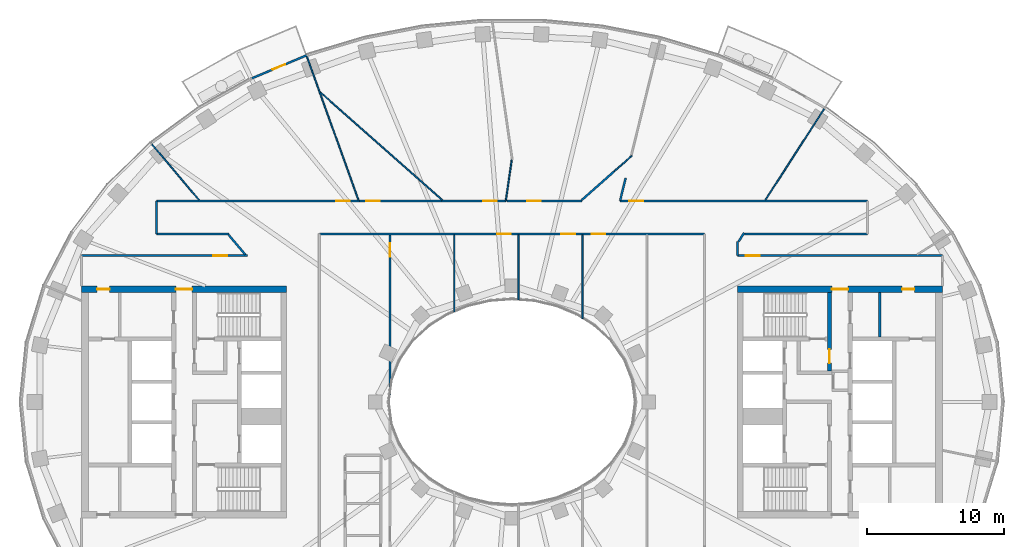
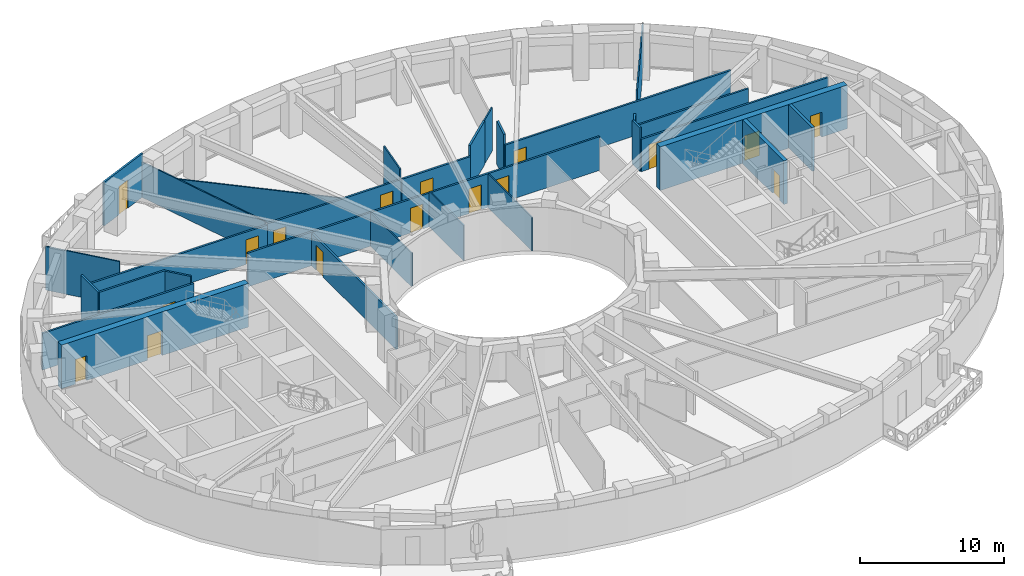
# One storey, part 6 of 15: 30 walls, 17 doors, 17 openings.
"""IFC4 building model written with IfcOpenShell, lengths in metres."""

from ifc_helpers import new_model, si_unit, direction, frame, frame_2d, origin, place, context, subcontext, project, spatial, rectangle, extrude, material, layer, layer_set, type_object, element, fill, save


model = new_model("IFC4")

# Units and contexts
model_context = context("Model", 3, precision=1e-05, world=origin(), true_north=direction((0.0, 1.0)))
body_context = subcontext(model_context, "Body", "Model", "MODEL_VIEW")
ifc_project = project(units=[si_unit("LENGTHUNIT", "METRE"), si_unit("AREAUNIT", "SQUARE_METRE"), si_unit("VOLUMEUNIT", "CUBIC_METRE"), si_unit("PLANEANGLEUNIT", "RADIAN"), si_unit("MASSUNIT", "GRAM", prefix="KILO")], contexts=[model_context])

# Site, building, storey
site_placement = place(None, origin())
site = spatial("IfcSite", under=ifc_project, at=site_placement, CompositionType="ELEMENT")
building_placement = place(site_placement, origin())
building = spatial("IfcBuilding", under=site, at=building_placement, Name="Noorbagh Ring Tower", CompositionType="ELEMENT")
storey_placement = place(building_placement, frame((0.0, 0.0, 253.5)))
storey = spatial("IfcBuildingStorey", under=building, at=storey_placement, Name="L53", CompositionType="ELEMENT", Elevation=253.5)

# Wall
ifc_material_1 = material(Name="Gypsum board on steel studs", Category="steel")
ifc_layer_1 = layer(ifc_material_1, 0.199951171875)
ifc_layer_set_1 = layer_set([ifc_layer_1], Name="Gypsum board on steel studs")
wall_type_1 = type_object("IfcWallType", Name="CORE-PARTITION-200", PredefinedType="PARTITIONING", material=ifc_layer_set_1)
wall_1_placement = place(storey_placement, frame((26.89990234375, 4.75, 0.0), z_axis=(0.0, 0.0, 1.0), x_axis=(0.0, 1.0, 0.0)))
element("IfcWall", 1, at=wall_1_placement, inside=storey, type_object=wall_type_1, Name="Core partition E", PredefinedType="PARTITIONING", context=body_context, shape_type="SweptSolid", body=[
    extrude(rectangle(XDim=3.25, YDim=0.199951171875, at=frame_2d((1.625, 0.0))), origin(), (0.0, 0.0, 1.0), 3.699951171875),
])

# Wall, opening, door
ifc_material_2 = material(Name="Concrete C60/75", Category="concrete")
ifc_layer_2 = layer(ifc_material_2, 0.300048828125)
ifc_layer_set_2 = layer_set([ifc_layer_2], Name="Concrete C60/75")
wall_type_2 = type_object("IfcWallType", Name="CORE-WALL-300-C60-75-EI240", PredefinedType="SHEAR", material=ifc_layer_set_2)
wall_2_placement = place(storey_placement, frame((23.22998046875, 2.25, 0.0), z_axis=(0.0, 0.0, 1.0), x_axis=(0.0, 1.0, 0.0)))
wall_2 = element("IfcWall", 2, at=wall_2_placement, inside=storey, type_object=wall_type_2, Name="Core wall E", PredefinedType="SHEAR", context=body_context, shape_type="SweptSolid", body=[
    extrude(rectangle(XDim=5.75, YDim=0.300048828125, at=frame_2d((2.875, 0.0))), origin(), (0.0, 0.0, 1.0), 3.699951171875),
])
opening_1_placement = place(wall_2_placement, frame((0.60009765625, 0.0, 0.0)))
opening_1 = element("IfcOpeningElement", 3, at=opening_1_placement, cuts=wall_2, Name="Opening L53-CE10", PredefinedType="OPENING", context=body_context, shape_type="SweptSolid", body=[
    extrude(rectangle(XDim=1.0, YDim=2.10009765625, at=frame_2d((0.5, 1.050048828125))), frame((0.0, 0.16015625, 0.0), z_axis=(0.0, -1.0, 0.0), x_axis=(1.0, 0.0, 0.0)), (0.0, 0.0, 1.0), 0.320068359375),
])
ifc_material_3 = material(Name="Steel door leaf", Category="steel")
door_type_1 = type_object("IfcDoorType", Name="CORE-DOOR-DVEST", OperationType="SINGLE_SWING_LEFT", PredefinedType="DOOR", material=ifc_material_3)
door_1_placement = place(opening_1_placement, origin())
door_1 = element("IfcDoor", 4, at=door_1_placement, inside=storey, type_object=door_type_1, Name="Stair vestibule door L53-CE10", OperationType="SINGLE_SWING_RIGHT", OverallHeight=2.10009765625, OverallWidth=1.0, PredefinedType="DOOR", context=body_context, shape_type="SweptSolid", body=[
    extrude(rectangle(XDim=1.0, YDim=2.10009765625, at=frame_2d((0.5, 1.050048828125))), frame((0.0, 0.02490234375, 0.0), z_axis=(0.0, -1.0, 0.0), x_axis=(1.0, 0.0, 0.0)), (0.0, 0.0, 1.0), 0.050048828125),
])
fill(opening_1, door_1)

# Wall, openings, doors
ifc_material_4 = material(Name="Concrete C60/75", Category="concrete")
ifc_layer_3 = layer(ifc_material_4, 0.5)
ifc_layer_set_3 = layer_set([ifc_layer_3], Name="Concrete C60/75")
wall_type_3 = type_object("IfcWallType", Name="CORE-WALL-500-C60-75-EI240", PredefinedType="SHEAR", material=ifc_layer_set_3)
wall_3_placement = place(storey_placement, frame((-16.5, 8.25, 0.0), z_axis=(0.0, 0.0, 1.0), x_axis=(-1.0, 0.0, 0.0)))
wall_3 = element("IfcWall", 5, at=wall_3_placement, inside=storey, type_object=wall_type_3, Name="Core wall W", PredefinedType="SHEAR", context=body_context, shape_type="SweptSolid", body=[
    extrude(rectangle(XDim=15.0, YDim=0.5, at=frame_2d((7.5, 0.0))), origin(), (0.0, 0.0, 1.0), 3.699951171875),
])
opening_2_placement = place(wall_3_placement, frame((6.89990234375, 0.0, 0.0)))
opening_2 = element("IfcOpeningElement", 6, at=opening_2_placement, cuts=wall_3, Name="Opening L53-CW10", PredefinedType="OPENING", context=body_context, shape_type="SweptSolid", body=[
    extrude(rectangle(XDim=1.199951171875, YDim=2.10009765625, at=frame_2d((0.60009765625, 1.050048828125))), frame((0.0, 0.260009765625, 0.0), z_axis=(0.0, -1.0, 0.0), x_axis=(1.0, 0.0, 0.0)), (0.0, 0.0, 1.0), 0.52001953125),
])
opening_3_placement = place(wall_3_placement, frame((12.949951171875, 0.0, 0.0)))
opening_3 = element("IfcOpeningElement", 7, at=opening_3_placement, cuts=wall_3, Name="Opening L53-CW13", PredefinedType="OPENING", context=body_context, shape_type="SweptSolid", body=[
    extrude(rectangle(XDim=0.89990234375, YDim=2.10009765625, at=frame_2d((0.449951171875, 1.050048828125))), frame((0.0, 0.260009765625, 0.0), z_axis=(0.0, -1.0, 0.0), x_axis=(1.0, 0.0, 0.0)), (0.0, 0.0, 1.0), 0.52001953125),
])
ifc_material_5 = material(Name="Steel door leaf", Category="steel")
door_type_2 = type_object("IfcDoorType", Name="CORE-DOOR-DROOM", OperationType="SINGLE_SWING_LEFT", PredefinedType="DOOR", material=ifc_material_5)
door_2_placement = place(opening_3_placement, origin())
door_2 = element("IfcDoor", 8, at=door_2_placement, inside=storey, type_object=door_type_2, Name="Core room door L53-CW13", OperationType="SINGLE_SWING_RIGHT", OverallHeight=2.10009765625, OverallWidth=0.89990234375, PredefinedType="DOOR", context=body_context, shape_type="SweptSolid", body=[
    extrude(rectangle(XDim=0.89990234375, YDim=2.10009765625, at=frame_2d((0.449951171875, 1.050048828125))), frame((0.0, 0.02490234375, 0.0), z_axis=(0.0, -1.0, 0.0), x_axis=(1.0, 0.0, 0.0)), (0.0, 0.0, 1.0), 0.050048828125),
])
fill(opening_3, door_2)
ifc_material_6 = material(Name="Steel door leaf", Category="steel")
door_type_3 = type_object("IfcDoorType", Name="CORE-DOOR-PORT", OperationType="DOUBLE_DOOR_DOUBLE_SWING", PredefinedType="DOOR", material=ifc_material_6)
door_3_placement = place(opening_2_placement, origin())
door_3 = element("IfcDoor", 9, at=door_3_placement, inside=storey, type_object=door_type_3, Name="Core entrance door L53-CW10", OperationType="DOUBLE_DOOR_DOUBLE_SWING", OverallHeight=2.10009765625, OverallWidth=1.199951171875, PredefinedType="DOOR", context=body_context, shape_type="SweptSolid", body=[
    extrude(rectangle(XDim=1.199951171875, YDim=2.10009765625, at=frame_2d((0.60009765625, 1.050048828125))), frame((0.0, 0.02490234375, 0.0), z_axis=(0.0, -1.0, 0.0), x_axis=(1.0, 0.0, 0.0)), (0.0, 0.0, 1.0), 0.050048828125),
])
fill(opening_2, door_3)

wall_4_placement = place(storey_placement, frame((16.5, 8.25, 0.0), z_axis=(0.0, 0.0, 1.0), x_axis=(1.0, 0.0, 0.0)))
wall_4 = element("IfcWall", 10, at=wall_4_placement, inside=storey, type_object=wall_type_3, Name="Core wall E", PredefinedType="SHEAR", context=body_context, shape_type="SweptSolid", body=[
    extrude(rectangle(XDim=15.0, YDim=0.5, at=frame_2d((7.5, 0.0))), origin(), (0.0, 0.0, 1.0), 3.699951171875),
])
opening_4_placement = place(wall_4_placement, frame((6.89990234375, 0.0, 0.0)))
opening_4 = element("IfcOpeningElement", 11, at=opening_4_placement, cuts=wall_4, Name="Opening L53-CE11", PredefinedType="OPENING", context=body_context, shape_type="SweptSolid", body=[
    extrude(rectangle(XDim=1.199951171875, YDim=2.10009765625, at=frame_2d((0.60009765625, 1.050048828125))), frame((0.0, 0.260009765625, 0.0), z_axis=(0.0, -1.0, 0.0), x_axis=(1.0, 0.0, 0.0)), (0.0, 0.0, 1.0), 0.52001953125),
])
opening_5_placement = place(wall_4_placement, frame((12.050048828125, 0.0, 0.0)))
opening_5 = element("IfcOpeningElement", 12, at=opening_5_placement, cuts=wall_4, Name="Opening L53-CE14", PredefinedType="OPENING", context=body_context, shape_type="SweptSolid", body=[
    extrude(rectangle(XDim=0.89990234375, YDim=2.10009765625, at=frame_2d((0.449951171875, 1.050048828125))), frame((0.0, 0.260009765625, 0.0), z_axis=(0.0, -1.0, 0.0), x_axis=(1.0, 0.0, 0.0)), (0.0, 0.0, 1.0), 0.52001953125),
])
door_4_placement = place(opening_5_placement, origin())
door_4 = element("IfcDoor", 13, at=door_4_placement, inside=storey, type_object=door_type_2, Name="Core room door L53-CE14", OperationType="SINGLE_SWING_LEFT", OverallHeight=2.10009765625, OverallWidth=0.89990234375, PredefinedType="DOOR", context=body_context, shape_type="SweptSolid", body=[
    extrude(rectangle(XDim=0.89990234375, YDim=2.10009765625, at=frame_2d((0.449951171875, 1.050048828125))), frame((0.0, 0.02490234375, 0.0), z_axis=(0.0, -1.0, 0.0), x_axis=(1.0, 0.0, 0.0)), (0.0, 0.0, 1.0), 0.050048828125),
])
fill(opening_5, door_4)
door_5_placement = place(opening_4_placement, origin())
door_5 = element("IfcDoor", 14, at=door_5_placement, inside=storey, type_object=door_type_3, Name="Core entrance door L53-CE11", OperationType="DOUBLE_DOOR_DOUBLE_SWING", OverallHeight=2.10009765625, OverallWidth=1.199951171875, PredefinedType="DOOR", context=body_context, shape_type="SweptSolid", body=[
    extrude(rectangle(XDim=1.199951171875, YDim=2.10009765625, at=frame_2d((0.60009765625, 1.050048828125))), frame((0.0, 0.02490234375, 0.0), z_axis=(0.0, -1.0, 0.0), x_axis=(1.0, 0.0, 0.0)), (0.0, 0.0, 1.0), 0.050048828125),
])
fill(opening_4, door_5)

# Wall, opening, door
ifc_material_7 = material(Name="Gypsum board on steel studs", Category="steel")
ifc_layer_4 = layer(ifc_material_7, 0.14990234375)
ifc_layer_set_4 = layer_set([ifc_layer_4], Name="Gypsum board on steel studs")
wall_type_4 = type_object("IfcWallType", Name="CORRIDOR PARTITION 150 EI 30", PredefinedType="PARTITIONING", material=ifc_layer_set_4)
wall_5_placement = place(storey_placement, frame((-31.5, 10.699951171875, 0.0), z_axis=(0.0, 0.0, 1.0), x_axis=(1.0, 0.0, 0.0)))
wall_5 = element("IfcWall", 15, at=wall_5_placement, inside=storey, type_object=wall_type_4, Name="L53/wall/P05", PredefinedType="PARTITIONING", context=body_context, shape_type="SweptSolid", body=[
    extrude(rectangle(XDim=12.14697265625, YDim=0.14990234375, at=frame_2d((6.073486328125, 0.0))), origin(), (0.0, 0.0, 1.0), 3.10009765625),
])
opening_6_placement = place(wall_5_placement, frame((9.64892578125, 0.0, 0.0)))
opening_6 = element("IfcOpeningElement", 16, at=opening_6_placement, cuts=wall_5, Name="Opening D1", PredefinedType="OPENING", context=body_context, shape_type="SweptSolid", body=[
    extrude(rectangle(XDim=1.0, YDim=2.10009765625, at=frame_2d((0.5, 1.050048828125))), frame((0.0, 0.0849609375, 0.0), z_axis=(0.0, -1.0, 0.0), x_axis=(1.0, 0.0, 0.0)), (0.0, 0.0, 1.0), 0.169921875),
])
ifc_material_8 = material(Name="Timber, painted", Category="wood")
door_type_4 = type_object("IfcDoorType", Name="DOOR 1000 X 2100 FD30", OperationType="SINGLE_SWING_LEFT", PredefinedType="DOOR", material=ifc_material_8)
door_6_placement = place(opening_6_placement, origin())
door_6 = element("IfcDoor", 17, at=door_6_placement, inside=storey, type_object=door_type_4, Name="L53-D07", OperationType="SINGLE_SWING_LEFT", OverallHeight=2.10009765625, OverallWidth=1.0, PredefinedType="DOOR", context=body_context, shape_type="SweptSolid", body=[
    extrude(rectangle(XDim=1.0, YDim=2.10009765625, at=frame_2d((0.5, 1.050048828125))), frame((0.0, 0.02490234375, 0.0), z_axis=(0.0, -1.0, 0.0), x_axis=(1.0, 0.0, 0.0)), (0.0, 0.0, 1.0), 0.050048828125),
])
fill(opening_6, door_6)

# Walls
wall_6_placement = place(storey_placement, frame((-26.0, 12.300048828125, 0.0), z_axis=(0.0, 0.0, 1.0), x_axis=(0.0, 1.0, 0.0)))
element("IfcWall", 18, at=wall_6_placement, inside=storey, type_object=wall_type_4, Name="L53/wall/P11", PredefinedType="PARTITIONING", context=body_context, shape_type="SweptSolid", body=[
    extrude(rectangle(XDim=2.39990234375, YDim=0.14990234375, at=frame_2d((1.199951171875, 0.0))), origin(), (0.0, 0.0, 1.0), 3.699951171875),
])
wall_7_placement = place(storey_placement, frame((-26.0, 12.300048828125, 0.0), z_axis=(0.0, 0.0, 1.0), x_axis=(1.0, 0.0, 0.0)))
element("IfcWall", 19, at=wall_7_placement, inside=storey, type_object=wall_type_4, Name="L53/wall/P12", PredefinedType="PARTITIONING", context=body_context, shape_type="SweptSolid", body=[
    extrude(rectangle(XDim=5.298095703125, YDim=0.14990234375, at=frame_2d((2.64892578125, 0.0))), origin(), (0.0, 0.0, 1.0), 3.699951171875),
])

# Wall, opening, door
wall_8_placement = place(storey_placement, frame((-26.0, 14.699951171875, 0.0), z_axis=(0.0, 0.0, 1.0), x_axis=(1.0, 0.0, 0.0)))
wall_8 = element("IfcWall", 20, at=wall_8_placement, inside=storey, type_object=wall_type_4, Name="L53/wall/P13", PredefinedType="PARTITIONING", context=body_context, shape_type="SweptSolid", body=[
    extrude(rectangle(XDim=14.833984375, YDim=0.14990234375, at=frame_2d((7.4169921875, 0.0))), origin(), (0.0, 0.0, 1.0), 2.75),
])
opening_7_placement = place(wall_8_placement, frame((13.14306640625, 0.0, 0.0)))
opening_7 = element("IfcOpeningElement", 21, at=opening_7_placement, cuts=wall_8, Name="Opening D1", PredefinedType="OPENING", context=body_context, shape_type="SweptSolid", body=[
    extrude(rectangle(XDim=1.0, YDim=2.10009765625, at=frame_2d((0.5, 1.050048828125))), frame((0.0, 0.0849609375, 0.0), z_axis=(0.0, -1.0, 0.0), x_axis=(1.0, 0.0, 0.0)), (0.0, 0.0, 1.0), 0.169921875),
])
door_7_placement = place(opening_7_placement, origin())
door_7 = element("IfcDoor", 22, at=door_7_placement, inside=storey, type_object=door_type_4, Name="L53-D09", OperationType="SINGLE_SWING_LEFT", OverallHeight=2.10009765625, OverallWidth=1.0, PredefinedType="DOOR", context=body_context, shape_type="SweptSolid", body=[
    extrude(rectangle(XDim=1.0, YDim=2.10009765625, at=frame_2d((0.5, 1.050048828125))), frame((0.0, 0.02490234375, 0.0), z_axis=(0.0, -1.0, 0.0), x_axis=(1.0, 0.0, 0.0)), (0.0, 0.0, 1.0), 0.050048828125),
])
fill(opening_7, door_7)

# Wall
wall_9_placement = place(storey_placement, frame((-20.73388671875, 12.221923828125, 0.0), z_axis=(0.0, 0.0, 1.0), x_axis=(0.646306563739, -0.763077863437, 0.0)))
element("IfcWall", 23, at=wall_9_placement, inside=storey, type_object=wall_type_4, Name="L53/wall/P15", PredefinedType="PARTITIONING", context=body_context, shape_type="SweptSolid", body=[
    extrude(rectangle(XDim=1.89208984375, YDim=0.14990234375, at=frame_2d((0.946044921875, 0.0))), origin(), (0.0, 0.0, 1.0), 3.699951171875),
])

# Wall, openings, doors
wall_10_placement = place(storey_placement, frame((-14.10009765625, 12.300048828125, 0.0), z_axis=(0.0, 0.0, 1.0), x_axis=(1.0, 0.0, 0.0)))
wall_10 = element("IfcWall", 24, at=wall_10_placement, inside=storey, type_object=wall_type_4, Name="L53/wall/P20", PredefinedType="PARTITIONING", context=body_context, shape_type="SweptSolid", body=[
    extrude(rectangle(XDim=28.2001953125, YDim=0.14990234375, at=frame_2d((14.10009765625, 0.0))), origin(), (0.0, 0.0, 1.0), 2.85009765625),
])
opening_8_placement = place(wall_10_placement, frame((13.02001953125, 0.0, 0.0)))
opening_8 = element("IfcOpeningElement", 25, at=opening_8_placement, cuts=wall_10, Name="Opening D1", PredefinedType="OPENING", context=body_context, shape_type="SweptSolid", body=[
    extrude(rectangle(XDim=1.0, YDim=2.10009765625, at=frame_2d((0.5, 1.050048828125))), frame((0.0, 0.0849609375, 0.0), z_axis=(0.0, -1.0, 0.0), x_axis=(1.0, 0.0, 0.0)), (0.0, 0.0, 1.0), 0.169921875),
])
opening_9_placement = place(wall_10_placement, frame((17.719970703125, 0.0, 0.0)))
opening_9 = element("IfcOpeningElement", 26, at=opening_9_placement, cuts=wall_10, Name="Opening D1", PredefinedType="OPENING", context=body_context, shape_type="SweptSolid", body=[
    extrude(rectangle(XDim=1.0, YDim=2.10009765625, at=frame_2d((0.5, 1.050048828125))), frame((0.0, 0.0849609375, 0.0), z_axis=(0.0, -1.0, 0.0), x_axis=(1.0, 0.0, 0.0)), (0.0, 0.0, 1.0), 0.169921875),
])
opening_10_placement = place(wall_10_placement, frame((19.919921875, 0.0, 0.0)))
opening_10 = element("IfcOpeningElement", 27, at=opening_10_placement, cuts=wall_10, Name="Opening D1", PredefinedType="OPENING", context=body_context, shape_type="SweptSolid", body=[
    extrude(rectangle(XDim=1.0, YDim=2.10009765625, at=frame_2d((0.5, 1.050048828125))), frame((0.0, 0.0849609375, 0.0), z_axis=(0.0, -1.0, 0.0), x_axis=(1.0, 0.0, 0.0)), (0.0, 0.0, 1.0), 0.169921875),
])
door_8_placement = place(opening_8_placement, origin())
door_8 = element("IfcDoor", 28, at=door_8_placement, inside=storey, type_object=door_type_4, Name="L53-D24", OperationType="SINGLE_SWING_RIGHT", OverallHeight=2.10009765625, OverallWidth=1.0, PredefinedType="DOOR", context=body_context, shape_type="SweptSolid", body=[
    extrude(rectangle(XDim=1.0, YDim=2.10009765625, at=frame_2d((0.5, 1.050048828125))), frame((0.0, 0.02490234375, 0.0), z_axis=(0.0, -1.0, 0.0), x_axis=(1.0, 0.0, 0.0)), (0.0, 0.0, 1.0), 0.050048828125),
])
fill(opening_8, door_8)
door_9_placement = place(opening_9_placement, origin())
door_9 = element("IfcDoor", 29, at=door_9_placement, inside=storey, type_object=door_type_4, Name="L53-D26", OperationType="SINGLE_SWING_RIGHT", OverallHeight=2.10009765625, OverallWidth=1.0, PredefinedType="DOOR", context=body_context, shape_type="SweptSolid", body=[
    extrude(rectangle(XDim=1.0, YDim=2.10009765625, at=frame_2d((0.5, 1.050048828125))), frame((0.0, 0.02490234375, 0.0), z_axis=(0.0, -1.0, 0.0), x_axis=(1.0, 0.0, 0.0)), (0.0, 0.0, 1.0), 0.050048828125),
])
fill(opening_9, door_9)
door_10_placement = place(opening_10_placement, origin())
door_10 = element("IfcDoor", 30, at=door_10_placement, inside=storey, type_object=door_type_4, Name="L53-D27", OperationType="SINGLE_SWING_LEFT", OverallHeight=2.10009765625, OverallWidth=1.0, PredefinedType="DOOR", context=body_context, shape_type="SweptSolid", body=[
    extrude(rectangle(XDim=1.0, YDim=2.10009765625, at=frame_2d((0.5, 1.050048828125))), frame((0.0, 0.02490234375, 0.0), z_axis=(0.0, -1.0, 0.0), x_axis=(1.0, 0.0, 0.0)), (0.0, 0.0, 1.0), 0.050048828125),
])
fill(opening_10, door_10)

wall_11_placement = place(storey_placement, frame((-11.154052734375, 14.699951171875, 0.0), z_axis=(0.0, 0.0, 1.0), x_axis=(1.0, 0.0, 0.0)))
wall_11 = element("IfcWall", 31, at=wall_11_placement, inside=storey, type_object=wall_type_4, Name="L53/wall/P28", PredefinedType="PARTITIONING", context=body_context, shape_type="SweptSolid", body=[
    extrude(rectangle(XDim=10.699951171875, YDim=0.14990234375, at=frame_2d((5.35009765625, 0.0))), origin(), (0.0, 0.0, 1.0), 2.85009765625),
])
opening_11_placement = place(wall_11_placement, frame((9.050048828125, 0.0, 0.0)))
opening_11 = element("IfcOpeningElement", 32, at=opening_11_placement, cuts=wall_11, Name="Opening D1", PredefinedType="OPENING", context=body_context, shape_type="SweptSolid", body=[
    extrude(rectangle(XDim=1.0, YDim=2.10009765625, at=frame_2d((0.5, 1.050048828125))), frame((0.0, 0.0849609375, 0.0), z_axis=(0.0, -1.0, 0.0), x_axis=(1.0, 0.0, 0.0)), (0.0, 0.0, 1.0), 0.169921875),
])
opening_12_placement = place(wall_11_placement, frame((0.48291015625, 0.0, 0.0)))
opening_12 = element("IfcOpeningElement", 33, at=opening_12_placement, cuts=wall_11, Name="Opening D1", PredefinedType="OPENING", context=body_context, shape_type="SweptSolid", body=[
    extrude(rectangle(XDim=1.0, YDim=2.10009765625, at=frame_2d((0.5, 1.050048828125))), frame((0.0, 0.0849609375, 0.0), z_axis=(0.0, -1.0, 0.0), x_axis=(1.0, 0.0, 0.0)), (0.0, 0.0, 1.0), 0.169921875),
])
door_11_placement = place(opening_11_placement, origin())
door_11 = element("IfcDoor", 34, at=door_11_placement, inside=storey, type_object=door_type_4, Name="L53-D11", OperationType="SINGLE_SWING_LEFT", OverallHeight=2.10009765625, OverallWidth=1.0, PredefinedType="DOOR", context=body_context, shape_type="SweptSolid", body=[
    extrude(rectangle(XDim=1.0, YDim=2.10009765625, at=frame_2d((0.5, 1.050048828125))), frame((0.0, 0.02490234375, 0.0), z_axis=(0.0, -1.0, 0.0), x_axis=(1.0, 0.0, 0.0)), (0.0, 0.0, 1.0), 0.050048828125),
])
fill(opening_11, door_11)
door_12_placement = place(opening_12_placement, origin())
door_12 = element("IfcDoor", 35, at=door_12_placement, inside=storey, type_object=door_type_4, Name="L53-D12", OperationType="SINGLE_SWING_RIGHT", OverallHeight=2.10009765625, OverallWidth=1.0, PredefinedType="DOOR", context=body_context, shape_type="SweptSolid", body=[
    extrude(rectangle(XDim=1.0, YDim=2.10009765625, at=frame_2d((0.5, 1.050048828125))), frame((0.0, 0.02490234375, 0.0), z_axis=(0.0, -1.0, 0.0), x_axis=(1.0, 0.0, 0.0)), (0.0, 0.0, 1.0), 0.050048828125),
])
fill(opening_12, door_12)

# Wall, opening, door
wall_12_placement = place(storey_placement, frame((-8.929931640625, 0.51806640625, 0.0), z_axis=(0.0, 0.0, 1.0), x_axis=(0.0, 1.0, 0.0)))
wall_12 = element("IfcWall", 36, at=wall_12_placement, inside=storey, type_object=wall_type_4, Name="L53/wall/P32", PredefinedType="PARTITIONING", context=body_context, shape_type="SweptSolid", body=[
    extrude(rectangle(XDim=11.70703125, YDim=0.14990234375, at=frame_2d((5.853515625, 0.0))), origin(), (0.0, 0.0, 1.0), 2.75),
])
opening_13_placement = place(wall_12_placement, frame((10.110107421875, 0.0, 0.0)))
opening_13 = element("IfcOpeningElement", 37, at=opening_13_placement, cuts=wall_12, Name="Opening D1", PredefinedType="OPENING", context=body_context, shape_type="SweptSolid", body=[
    extrude(rectangle(XDim=1.0, YDim=2.10009765625, at=frame_2d((0.5, 1.050048828125))), frame((0.0, 0.0849609375, 0.0), z_axis=(0.0, -1.0, 0.0), x_axis=(1.0, 0.0, 0.0)), (0.0, 0.0, 1.0), 0.169921875),
])
door_13_placement = place(opening_13_placement, origin())
door_13 = element("IfcDoor", 38, at=door_13_placement, inside=storey, type_object=door_type_4, Name="L53-D22", OperationType="SINGLE_SWING_RIGHT", OverallHeight=2.10009765625, OverallWidth=1.0, PredefinedType="DOOR", context=body_context, shape_type="SweptSolid", body=[
    extrude(rectangle(XDim=1.0, YDim=2.10009765625, at=frame_2d((0.5, 1.050048828125))), frame((0.0, 0.02490234375, 0.0), z_axis=(0.0, -1.0, 0.0), x_axis=(1.0, 0.0, 0.0)), (0.0, 0.0, 1.0), 0.050048828125),
])
fill(opening_13, door_13)

wall_13_placement = place(storey_placement, frame((-0.37890625, 14.699951171875, 0.0), z_axis=(0.0, 0.0, 1.0), x_axis=(1.0, 0.0, 0.0)))
wall_13 = element("IfcWall", 39, at=wall_13_placement, inside=storey, type_object=wall_type_4, Name="L53/wall/P44", PredefinedType="PARTITIONING", context=body_context, shape_type="SweptSolid", body=[
    extrude(rectangle(XDim=5.512939453125, YDim=0.14990234375, at=frame_2d((2.75634765625, 0.0))), origin(), (0.0, 0.0, 1.0), 2.85009765625),
])
opening_14_placement = place(wall_13_placement, frame((1.5, 0.0, 0.0)))
opening_14 = element("IfcOpeningElement", 40, at=opening_14_placement, cuts=wall_13, Name="Opening D1", PredefinedType="OPENING", context=body_context, shape_type="SweptSolid", body=[
    extrude(rectangle(XDim=1.0, YDim=2.10009765625, at=frame_2d((0.5, 1.050048828125))), frame((0.0, 0.0849609375, 0.0), z_axis=(0.0, -1.0, 0.0), x_axis=(1.0, 0.0, 0.0)), (0.0, 0.0, 1.0), 0.169921875),
])
door_14_placement = place(opening_14_placement, origin())
door_14 = element("IfcDoor", 41, at=door_14_placement, inside=storey, type_object=door_type_4, Name="L53-D14", OperationType="SINGLE_SWING_RIGHT", OverallHeight=2.10009765625, OverallWidth=1.0, PredefinedType="DOOR", context=body_context, shape_type="SweptSolid", body=[
    extrude(rectangle(XDim=1.0, YDim=2.10009765625, at=frame_2d((0.5, 1.050048828125))), frame((0.0, 0.02490234375, 0.0), z_axis=(0.0, -1.0, 0.0), x_axis=(1.0, 0.0, 0.0)), (0.0, 0.0, 1.0), 0.050048828125),
])
fill(opening_14, door_14)

# Walls
wall_14_placement = place(storey_placement, frame((5.10888671875, 14.778076171875, 0.0), z_axis=(0.0, 0.0, 1.0), x_axis=(0.749070135498, 0.66249070341, 0.0)))
element("IfcWall", 42, at=wall_14_placement, inside=storey, type_object=wall_type_4, Name="L53/wall/P52", PredefinedType="PARTITIONING", context=body_context, shape_type="SweptSolid", body=[
    extrude(rectangle(XDim=3.166748046875, YDim=0.14990234375, at=frame_2d((1.58349609375, 0.0))), origin(), (0.0, 0.0, 1.0), 3.699951171875),
])
wall_15_placement = place(storey_placement, frame((7.9130859375, 14.741943359375, 0.0), z_axis=(0.0, 0.0, 1.0), x_axis=(0.239199453385, 0.970970453464, 0.0)))
element("IfcWall", 43, at=wall_15_placement, inside=storey, type_object=wall_type_4, Name="L53/wall/P56", PredefinedType="PARTITIONING", context=body_context, shape_type="SweptSolid", body=[
    extrude(rectangle(XDim=1.688232421875, YDim=0.14990234375, at=frame_2d((0.84423828125, 0.0))), origin(), (0.0, 0.0, 1.0), 3.699951171875),
])

# Wall, opening, door
wall_16_placement = place(storey_placement, frame((7.9189453125, 14.699951171875, 0.0), z_axis=(0.0, 0.0, 1.0), x_axis=(1.0, 0.0, 0.0)))
wall_16 = element("IfcWall", 44, at=wall_16_placement, inside=storey, type_object=wall_type_4, Name="L53/wall/P57", PredefinedType="PARTITIONING", context=body_context, shape_type="SweptSolid", body=[
    extrude(rectangle(XDim=18.0810546875, YDim=0.14990234375, at=frame_2d((9.04052734375, 0.0))), origin(), (0.0, 0.0, 1.0), 2.85009765625),
])
opening_15_placement = place(wall_16_placement, frame((0.677978515625, 0.0, 0.0)))
opening_15 = element("IfcOpeningElement", 45, at=opening_15_placement, cuts=wall_16, Name="Opening D1", PredefinedType="OPENING", context=body_context, shape_type="SweptSolid", body=[
    extrude(rectangle(XDim=1.0, YDim=2.10009765625, at=frame_2d((0.5, 1.050048828125))), frame((0.0, 0.0849609375, 0.0), z_axis=(0.0, -1.0, 0.0), x_axis=(1.0, 0.0, 0.0)), (0.0, 0.0, 1.0), 0.169921875),
])
door_15_placement = place(opening_15_placement, origin())
door_15 = element("IfcDoor", 46, at=door_15_placement, inside=storey, type_object=door_type_4, Name="L53-D16", OperationType="SINGLE_SWING_RIGHT", OverallHeight=2.10009765625, OverallWidth=1.0, PredefinedType="DOOR", context=body_context, shape_type="SweptSolid", body=[
    extrude(rectangle(XDim=1.0, YDim=2.10009765625, at=frame_2d((0.5, 1.050048828125))), frame((0.0, 0.02490234375, 0.0), z_axis=(0.0, -1.0, 0.0), x_axis=(1.0, 0.0, 0.0)), (0.0, 0.0, 1.0), 0.050048828125),
])
fill(opening_15, door_15)

# Wall
wall_17_placement = place(storey_placement, frame((16.5, 10.699951171875, 0.0), z_axis=(0.0, 0.0, 1.0), x_axis=(0.0, 1.0, 0.0)))
element("IfcWall", 47, at=wall_17_placement, inside=storey, type_object=wall_type_4, Name="L53/wall/P64", PredefinedType="PARTITIONING", context=body_context, shape_type="SweptSolid", body=[
    extrude(rectangle(XDim=1.05615234375, YDim=0.14990234375, at=frame_2d((0.528076171875, 0.0))), origin(), (0.0, 0.0, 1.0), 3.699951171875),
])

# Wall, opening, door
wall_18_placement = place(storey_placement, frame((16.5, 10.699951171875, 0.0), z_axis=(0.0, 0.0, 1.0), x_axis=(1.0, 0.0, 0.0)))
wall_18 = element("IfcWall", 48, at=wall_18_placement, inside=storey, type_object=wall_type_4, Name="L53/wall/P65", PredefinedType="PARTITIONING", context=body_context, shape_type="SweptSolid", body=[
    extrude(rectangle(XDim=15.0, YDim=0.14990234375, at=frame_2d((7.5, 0.0))), origin(), (0.0, 0.0, 1.0), 2.75),
])
opening_16_placement = place(wall_18_placement, frame((0.62109375, 0.0, 0.0)))
opening_16 = element("IfcOpeningElement", 49, at=opening_16_placement, cuts=wall_18, Name="Opening D1", PredefinedType="OPENING", context=body_context, shape_type="SweptSolid", body=[
    extrude(rectangle(XDim=1.0, YDim=2.10009765625, at=frame_2d((0.5, 1.050048828125))), frame((0.0, 0.0849609375, 0.0), z_axis=(0.0, -1.0, 0.0), x_axis=(1.0, 0.0, 0.0)), (0.0, 0.0, 1.0), 0.169921875),
])
door_16_placement = place(opening_16_placement, origin())
door_16 = element("IfcDoor", 50, at=door_16_placement, inside=storey, type_object=door_type_4, Name="L53-D18", OperationType="SINGLE_SWING_RIGHT", OverallHeight=2.10009765625, OverallWidth=1.0, PredefinedType="DOOR", context=body_context, shape_type="SweptSolid", body=[
    extrude(rectangle(XDim=1.0, YDim=2.10009765625, at=frame_2d((0.5, 1.050048828125))), frame((0.0, 0.02490234375, 0.0), z_axis=(0.0, -1.0, 0.0), x_axis=(1.0, 0.0, 0.0)), (0.0, 0.0, 1.0), 0.050048828125),
])
fill(opening_16, door_16)

# Walls
wall_19_placement = place(storey_placement, frame((16.576904296875, 11.737060546875, 0.0), z_axis=(0.0, 0.0, 1.0), x_axis=(0.541716486253, 0.840561269939, 0.0)))
element("IfcWall", 51, at=wall_19_placement, inside=storey, type_object=wall_type_4, Name="L53/wall/P66", PredefinedType="PARTITIONING", context=body_context, shape_type="SweptSolid", body=[
    extrude(rectangle(XDim=0.759033203125, YDim=0.14990234375, at=frame_2d((0.37939453125, 0.0))), origin(), (0.0, 0.0, 1.0), 3.699951171875),
])
wall_20_placement = place(storey_placement, frame((17.029052734375, 12.300048828125, 0.0), z_axis=(0.0, 0.0, 1.0), x_axis=(1.0, 0.0, 0.0)))
element("IfcWall", 52, at=wall_20_placement, inside=storey, type_object=wall_type_4, Name="L53/wall/P67", PredefinedType="PARTITIONING", context=body_context, shape_type="SweptSolid", body=[
    extrude(rectangle(XDim=8.970947265625, YDim=0.14990234375, at=frame_2d((4.4853515625, 0.0))), origin(), (0.0, 0.0, 1.0), 2.75),
])

# Wall, opening, door
ifc_material_9 = material(Name="Insulated aluminium clad panel", Category="aluminium")
ifc_layer_5 = layer(ifc_material_9, 0.14990234375)
ifc_layer_set_5 = layer_set([ifc_layer_5], Name="Insulated aluminium clad panel")
wall_type_5 = type_object("IfcWallType", Name="ENV-WALL-DOOR", PredefinedType="STANDARD", material=ifc_layer_set_5)
wall_21_placement = place(storey_placement, frame((-15.017822265625, 25.368896484375, 0.0), z_axis=(0.0, 0.0, 1.0), x_axis=(-0.921816985161, -0.387625393736, 0.0)))
wall_21 = element("IfcWall", 53, at=wall_21_placement, inside=storey, type_object=wall_type_5, Name="Balcony door wall chord 16", PredefinedType="STANDARD", context=body_context, shape_type="SweptSolid", body=[
    extrude(rectangle(XDim=4.42578125, YDim=0.14990234375, at=frame_2d((2.212890625, 0.0))), origin(), (0.0, 0.0, 1.0), 3.699951171875),
])
opening_17_placement = place(wall_21_placement, frame((1.712890625, 0.0, 0.0)))
opening_17 = element("IfcOpeningElement", 54, at=opening_17_placement, cuts=wall_21, Name="Opening D-BL", PredefinedType="OPENING", context=body_context, shape_type="SweptSolid", body=[
    extrude(rectangle(XDim=1.0, YDim=2.39990234375, at=frame_2d((0.5, 1.199951171875))), frame((0.0, 0.0849609375, 0.0), z_axis=(0.0, -1.0, 0.0), x_axis=(1.0, 0.0, 0.0)), (0.0, 0.0, 1.0), 0.169921875),
])
ifc_material_10 = material(Name="Aluminium and glass", Category="aluminium")
door_type_5 = type_object("IfcDoorType", Name="ENV-DOOR-BALCONY", OperationType="SINGLE_SWING_LEFT", PredefinedType="DOOR", material=ifc_material_10)
door_17_placement = place(opening_17_placement, origin())
door_17 = element("IfcDoor", 55, at=door_17_placement, inside=storey, type_object=door_type_5, Name="Balcony door chord 16", OperationType="SINGLE_SWING_RIGHT", OverallHeight=2.39990234375, OverallWidth=1.0, PredefinedType="DOOR", context=body_context, shape_type="SweptSolid", body=[
    extrude(rectangle(XDim=1.0, YDim=2.39990234375, at=frame_2d((0.5, 1.199951171875))), frame((0.0, 0.02490234375, 0.0), z_axis=(0.0, -1.0, 0.0), x_axis=(1.0, 0.0, 0.0)), (0.0, 0.0, 1.0), 0.050048828125),
])
fill(opening_17, door_17)

# Walls
ifc_material_11 = material(Name="Gypsum board on steel studs", Category="steel")
ifc_layer_6 = layer(ifc_material_11, 0.10009765625)
ifc_layer_set_6 = layer_set([ifc_layer_6], Name="Gypsum board on steel studs")
wall_type_6 = type_object("IfcWallType", Name="PARTITION 100 GYPSUM", PredefinedType="PARTITIONING", material=ifc_layer_set_6)
wall_22_placement = place(storey_placement, frame((-26.429931640625, 18.945068359375, 0.0), z_axis=(0.0, 0.0, 1.0), x_axis=(0.646381008665, -0.763014804337, 0.0)))
element("IfcWall", 56, at=wall_22_placement, inside=storey, type_object=wall_type_6, Name="L53/wall/P07", PredefinedType="PARTITIONING", context=body_context, shape_type="SweptSolid", body=[
    extrude(rectangle(XDim=5.461181640625, YDim=0.10009765625, at=frame_2d((2.73046875, 0.0))), origin(), (0.0, 0.0, 1.0), 3.699951171875),
])
wall_23_placement = place(storey_placement, frame((-15.048095703125, 25.383056640625, 0.0), z_axis=(0.0, 0.0, 1.0), x_axis=(0.338188533117, -0.941078379344, 0.0)))
element("IfcWall", 57, at=wall_23_placement, inside=storey, type_object=wall_type_6, Name="L53/wall/P17", PredefinedType="PARTITIONING", context=body_context, shape_type="SweptSolid", body=[
    extrude(rectangle(XDim=11.26904296875, YDim=0.10009765625, at=frame_2d((5.634521484375, 0.0))), origin(), (0.0, 0.0, 1.0), 3.0),
])
wall_24_placement = place(storey_placement, frame((-14.013916015625, 22.654052734375, 0.0), z_axis=(0.0, 0.0, 1.0), x_axis=(0.749061235459, -0.66250076644, 0.0)))
element("IfcWall", 58, at=wall_24_placement, inside=storey, type_object=wall_type_6, Name="L53/wall/P21", PredefinedType="PARTITIONING", context=body_context, shape_type="SweptSolid", body=[
    extrude(rectangle(XDim=11.88818359375, YDim=0.10009765625, at=frame_2d((5.944091796875, 0.0))), origin(), (0.0, 0.0, 1.0), 2.85009765625),
])
wall_25_placement = place(storey_placement, frame((-4.22998046875, 6.592041015625, 0.0), z_axis=(0.0, 0.0, 1.0), x_axis=(0.0, 1.0, 0.0)))
element("IfcWall", 59, at=wall_25_placement, inside=storey, type_object=wall_type_6, Name="L53/wall/P37", PredefinedType="PARTITIONING", context=body_context, shape_type="SweptSolid", body=[
    extrude(rectangle(XDim=5.633056640625, YDim=0.10009765625, at=frame_2d((2.81640625, 0.0))), origin(), (0.0, 0.0, 1.0), 2.85009765625),
])
wall_26_placement = place(storey_placement, frame((-0.4541015625, 14.7041015625, 0.0), z_axis=(0.0, 0.0, 1.0), x_axis=(0.14330551107, 0.989678498552, 0.0)))
element("IfcWall", 60, at=wall_26_placement, inside=storey, type_object=wall_type_6, Name="L53/wall/P40", PredefinedType="PARTITIONING", context=body_context, shape_type="SweptSolid", body=[
    extrude(rectangle(XDim=3.029052734375, YDim=0.10009765625, at=frame_2d((1.5146484375, 0.0))), origin(), (0.0, 0.0, 1.0), 3.699951171875),
])
wall_27_placement = place(storey_placement, frame((0.469970703125, 7.468994140625, 0.0), z_axis=(0.0, 0.0, 1.0), x_axis=(0.0, 1.0, 0.0)))
element("IfcWall", 61, at=wall_27_placement, inside=storey, type_object=wall_type_6, Name="L53/wall/P46", PredefinedType="PARTITIONING", context=body_context, shape_type="SweptSolid", body=[
    extrude(rectangle(XDim=4.756103515625, YDim=0.10009765625, at=frame_2d((2.3779296875, 0.0))), origin(), (0.0, 0.0, 1.0), 3.0),
])
wall_28_placement = place(storey_placement, frame((5.169921875, 6.10498046875, 0.0), z_axis=(0.0, 0.0, 1.0), x_axis=(0.0, 1.0, 0.0)))
element("IfcWall", 62, at=wall_28_placement, inside=storey, type_object=wall_type_6, Name="L53/wall/P54", PredefinedType="PARTITIONING", context=body_context, shape_type="SweptSolid", body=[
    extrude(rectangle(XDim=6.1201171875, YDim=0.10009765625, at=frame_2d((3.06005859375, 0.0))), origin(), (0.0, 0.0, 1.0), 2.85009765625),
])
wall_29_placement = place(storey_placement, frame((7.489013671875, 16.883056640625, 0.0), z_axis=(0.0, 0.0, 1.0), x_axis=(0.749189441932, 0.662355780602, 0.0)))
element("IfcWall", 63, at=wall_29_placement, inside=storey, type_object=wall_type_6, Name="L53/wall/P55", PredefinedType="PARTITIONING", context=body_context, shape_type="SweptSolid", body=[
    extrude(rectangle(XDim=1.715087890625, YDim=0.10009765625, at=frame_2d((0.857421875, 0.0))), origin(), (0.0, 0.0, 1.0), 3.699951171875),
])
wall_30_placement = place(storey_placement, frame((18.5380859375, 14.77490234375, 0.0), z_axis=(0.0, 0.0, 1.0), x_axis=(0.542221460331, 0.840235614549, 0.0)))
element("IfcWall", 64, at=wall_30_placement, inside=storey, type_object=wall_type_6, Name="L53/wall/P68", PredefinedType="PARTITIONING", context=body_context, shape_type="SweptSolid", body=[
    extrude(rectangle(XDim=8.0537109375, YDim=0.10009765625, at=frame_2d((4.02685546875, 0.0))), origin(), (0.0, 0.0, 1.0), 3.699951171875),
])

save(model, "model.ifc")
